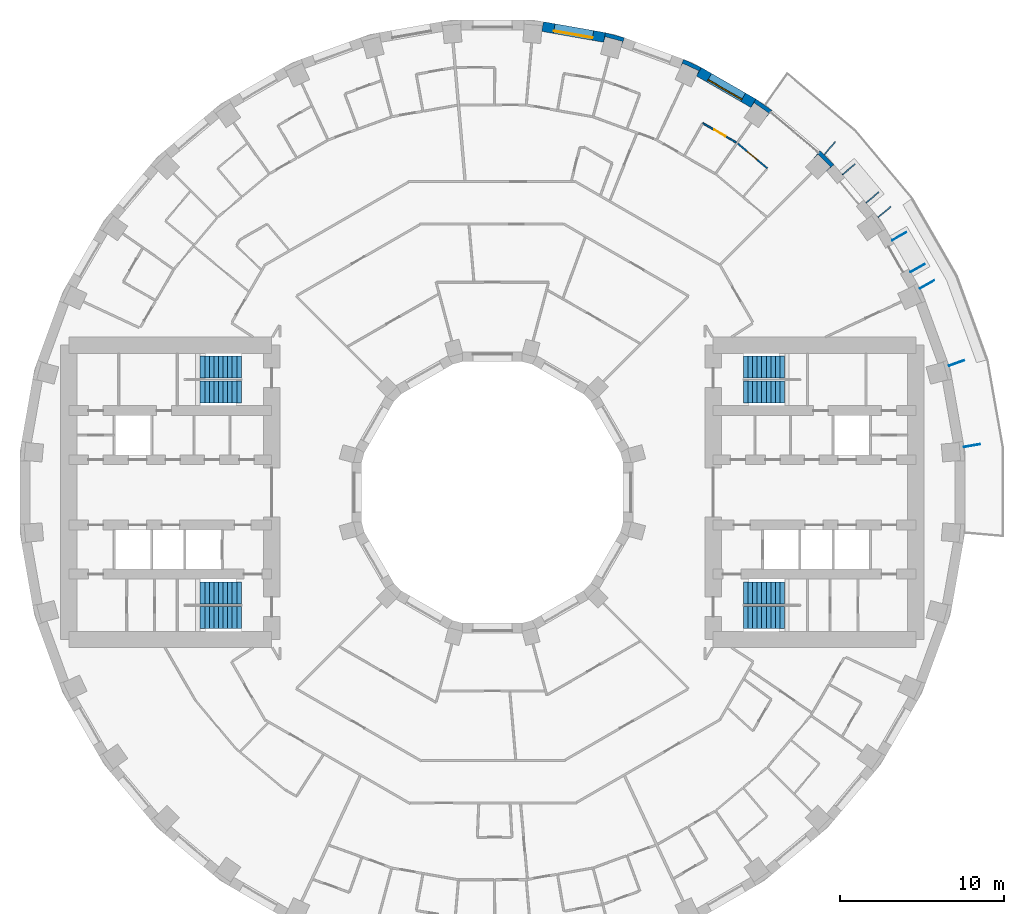
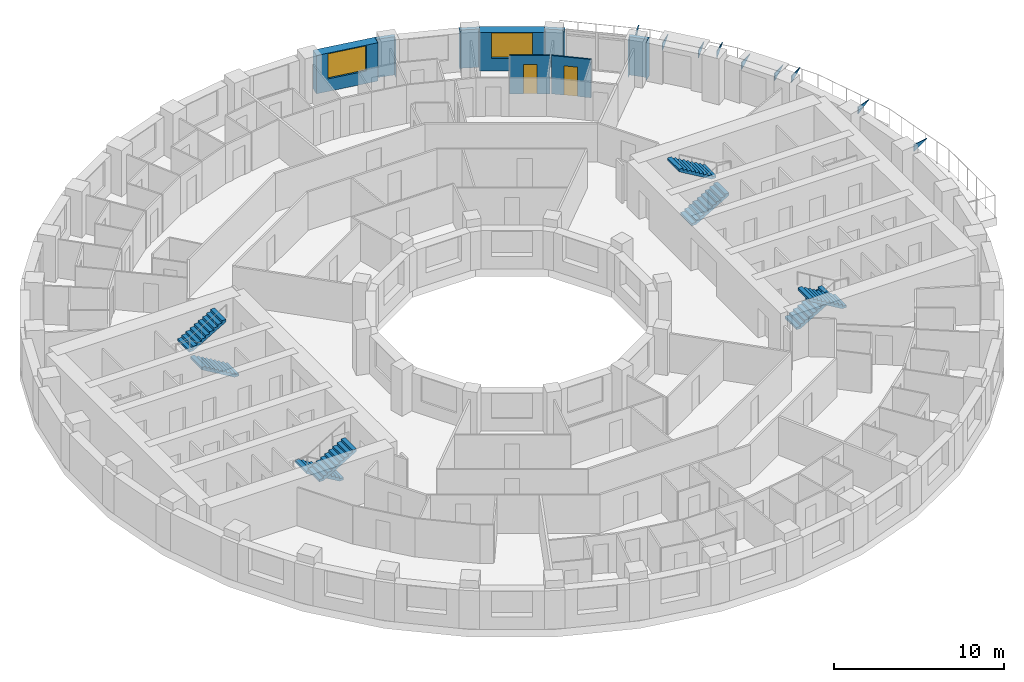
# One storey, part 14 of 15: 9 discrete accessories, 8 stair flights, 8 walls, 2 doors, 2 windows, 4 openings, 4 elements without a shape of their own.
"""IFC4 building model written with IfcOpenShell, lengths in metres."""

from ifc_helpers import new_model, si_unit, direction, frame, frame_2d, origin, place, context, subcontext, project, spatial, polyline, rectangle, outline, extrude, material, layer, layer_set, type_object, element, fill, aggregate, save


model = new_model("IFC4")

# Units and contexts
model_context = context("Model", 3, precision=1e-05, world=origin(), true_north=direction((0.0, 1.0)))
body_context = subcontext(model_context, "Body", "Model", "MODEL_VIEW")
ifc_project = project(units=[si_unit("LENGTHUNIT", "METRE"), si_unit("AREAUNIT", "SQUARE_METRE"), si_unit("VOLUMEUNIT", "CUBIC_METRE"), si_unit("PLANEANGLEUNIT", "RADIAN"), si_unit("MASSUNIT", "GRAM", prefix="KILO")], contexts=[model_context])

# Site, building, storey
site_placement = place(None, origin())
site = spatial("IfcSite", under=ifc_project, at=site_placement, CompositionType="ELEMENT")
building_placement = place(site_placement, origin())
building = spatial("IfcBuilding", under=site, at=building_placement, Name="Saqina Gate Tower", CompositionType="ELEMENT")
storey_placement = place(building_placement, frame((0.0, 0.0, 56.0)))
storey = spatial("IfcBuildingStorey", under=building, at=storey_placement, Name="L15", CompositionType="ELEMENT", Elevation=56.0)

# Walls
ifc_material_1 = material(Name="Brick masonry (red)", Category="masonry")
wall_type_1 = type_object("IfcWallType", Name="BRICK PIER COPING RED", PredefinedType="SOLIDWALL", material=ifc_material_1)
wall_1_placement = place(storey_placement, origin())
element("IfcWall", 1, at=wall_1_placement, inside=storey, type_object=wall_type_1, Name="Pier cap L15 column 5", PredefinedType="SOLIDWALL", context=body_context, shape_type="SweptSolid", body=[
    extrude(outline(polyline([(20.04296875, 20.894775390625), (19.6572265625, 20.43505859375), (19.905029296875, 20.682861328125), (20.682861328125, 19.905029296875), (20.43505859375, 19.6572265625), (20.894775390625, 20.04296875), (20.04296875, 20.894775390625)])), origin(), (0.0, 0.0, 1.0), 2.75),
])
wall_2_placement = place(storey_placement, origin())
element("IfcWall", 2, at=wall_2_placement, inside=storey, type_object=wall_type_1, Name="Pier cap L15 column 6", PredefinedType="SOLIDWALL", context=body_context, shape_type="SweptSolid", body=[
    extrude(outline(polyline([(17.096923828125, 23.36669921875), (16.110107421875, 24.0576171875), (15.81005859375, 23.5380859375), (16.010986328125, 23.8251953125), (16.912109375, 23.194091796875), (16.711181640625, 22.9072265625), (17.096923828125, 23.36669921875)])), origin(), (0.0, 0.0, 1.0), 2.75),
])
wall_3_placement = place(storey_placement, origin())
element("IfcWall", 3, at=wall_3_placement, inside=storey, type_object=wall_type_1, Name="Pier cap L15 column 7", PredefinedType="SOLIDWALL", context=body_context, shape_type="SweptSolid", body=[
    extrude(outline(polyline([(11.687744140625, 26.48974609375), (11.482666015625, 25.92578125), (11.630615234375, 26.243408203125), (12.627685546875, 25.778564453125), (12.4794921875, 25.4609375), (12.779541015625, 25.980712890625), (11.687744140625, 26.48974609375)])), origin(), (0.0, 0.0, 1.0), 2.75),
])
wall_4_placement = place(storey_placement, origin())
element("IfcWall", 4, at=wall_4_placement, inside=storey, type_object=wall_type_1, Name="Pier cap L15 column 8", PredefinedType="SOLIDWALL", context=body_context, shape_type="SweptSolid", body=[
    extrude(outline(polyline([(6.910400390625, 28.11669921875), (6.80615234375, 27.52587890625), (6.896728515625, 27.864501953125), (7.95947265625, 27.57958984375), (7.86865234375, 27.2412109375), (8.073974609375, 27.80517578125), (6.910400390625, 28.11669921875)])), origin(), (0.0, 0.0, 1.0), 2.75),
])

# Wall, opening, window
ifc_material_2 = material(Name="Brick masonry (red)", Category="masonry")
ifc_layer_1 = layer(ifc_material_2, 0.60009765625)
ifc_layer_set_1 = layer_set([ifc_layer_1], Name="FW-BRICK-RED")
wall_type_2 = type_object("IfcWallType", Name="FW-BRICK-RED", PredefinedType="SOLIDWALL", material=ifc_layer_set_1)
wall_5_placement = place(storey_placement, frame((15.960205078125, 23.7978515625, 0.0), z_axis=(0.0, 0.0, 1.0), x_axis=(-0.86603124159, 0.499989888488, 0.0)))
wall_5 = element("IfcWall", 5, at=wall_5_placement, inside=storey, type_object=wall_type_2, Name="Facade wall L15 facet 6", PredefinedType="SOLIDWALL", context=body_context, shape_type="SweptSolid", body=[
    extrude(rectangle(XDim=3.845703125, YDim=0.60009765625, at=frame_2d((1.9228515625, 0.0))), origin(), (0.0, 0.0, 1.0), 2.75),
])
opening_1_placement = place(wall_5_placement, frame((0.722900390625, 0.0, 0.89990234375)))
opening_1 = element("IfcOpeningElement", 6, at=opening_1_placement, cuts=wall_5, Name="Opening G04-W01", PredefinedType="OPENING", context=body_context, shape_type="SweptSolid", body=[
    extrude(rectangle(XDim=2.39990234375, YDim=1.800048828125, at=frame_2d((1.199951171875, 0.89990234375))), frame((0.0, 0.31201171875, 0.0), z_axis=(0.0, -1.0, 0.0), x_axis=(1.0, 0.0, 0.0)), (0.0, 0.0, 1.0), 0.6240234375),
])
ifc_material_3 = material(Name="Aluminium glazing", Category="aluminium")
window_type = type_object("IfcWindowType", Name="WN-A", PartitioningType="SINGLE_PANEL", PredefinedType="WINDOW", material=ifc_material_3)
window_1_placement = place(opening_1_placement, origin())
window_1 = element("IfcWindow", 7, at=window_1_placement, inside=storey, type_object=window_type, Name="Window L15 facet 6", OverallHeight=1.800048828125, OverallWidth=2.39990234375, PartitioningType="SINGLE_PANEL", PredefinedType="WINDOW", context=body_context, shape_type="SweptSolid", body=[
    extrude(rectangle(XDim=2.39990234375, YDim=1.800048828125, at=frame_2d((1.199951171875, 0.89990234375))), frame((0.0, 0.179931640625, 0.0), z_axis=(0.0, -1.0, 0.0), x_axis=(1.0, 0.0, 0.0)), (0.0, 0.0, 1.0), 0.06005859375),
])
fill(opening_1, window_1)

wall_6_placement = place(storey_placement, frame((6.858154296875, 27.8212890625, 0.0), z_axis=(0.0, 0.0, 1.0), x_axis=(-0.984800809218, 0.173687553279, 0.0)))
wall_6 = element("IfcWall", 8, at=wall_6_placement, inside=storey, type_object=wall_type_2, Name="Facade wall L15 facet 8", PredefinedType="SOLIDWALL", context=body_context, shape_type="SweptSolid", body=[
    extrude(rectangle(XDim=3.845703125, YDim=0.60009765625, at=frame_2d((1.9228515625, 0.0))), origin(), (0.0, 0.0, 1.0), 2.75),
])
opening_2_placement = place(wall_6_placement, frame((0.722900390625, 0.0, 0.89990234375)))
opening_2 = element("IfcOpeningElement", 9, at=opening_2_placement, cuts=wall_6, Name="Opening G04-W03", PredefinedType="OPENING", context=body_context, shape_type="SweptSolid", body=[
    extrude(rectangle(XDim=2.39990234375, YDim=1.800048828125, at=frame_2d((1.199951171875, 0.89990234375))), frame((0.0, 0.31201171875, 0.0), z_axis=(0.0, -1.0, 0.0), x_axis=(1.0, 0.0, 0.0)), (0.0, 0.0, 1.0), 0.6240234375),
])
window_2_placement = place(opening_2_placement, origin())
window_2 = element("IfcWindow", 10, at=window_2_placement, inside=storey, type_object=window_type, Name="Window L15 facet 8", OverallHeight=1.800048828125, OverallWidth=2.39990234375, PartitioningType="SINGLE_PANEL", PredefinedType="WINDOW", context=body_context, shape_type="SweptSolid", body=[
    extrude(rectangle(XDim=2.39990234375, YDim=1.800048828125, at=frame_2d((1.199951171875, 0.89990234375))), frame((0.0, 0.179931640625, 0.0), z_axis=(0.0, -1.0, 0.0), x_axis=(1.0, 0.0, 0.0)), (0.0, 0.0, 1.0), 0.06005859375),
])
fill(opening_2, window_2)

# Wall, opening, door
ifc_material_4 = material(Name="Gypsum board on steel studs, 100 mm", Category="steel")
ifc_layer_2 = layer(ifc_material_4, 0.10009765625)
ifc_layer_set_2 = layer_set([ifc_layer_2], Name="PARTITION 100")
wall_type_3 = type_object("IfcWallType", Name="PARTITION 100", PredefinedType="PARTITIONING", material=ifc_layer_set_2)
wall_7_placement = place(storey_placement, frame((15.002197265625, 21.3388671875, 0.0), z_axis=(0.0, 0.0, 1.0), x_axis=(0.765995095449, -0.642846415365, 0.0)))
wall_7 = element("IfcWall", 11, at=wall_7_placement, inside=storey, type_object=wall_type_3, Name="PARTITION PW3-31", PredefinedType="PARTITIONING", context=body_context, shape_type="SweptSolid", body=[
    extrude(rectangle(XDim=2.369140625, YDim=0.10009765625, at=frame_2d((1.1845703125, 0.0))), origin(), (0.0, 0.0, 1.0), 2.75),
])
opening_3_placement = place(wall_7_placement, frame((0.759521484375, 0.0, 0.0)))
opening_3 = element("IfcOpeningElement", 12, at=opening_3_placement, cuts=wall_7, Name="Opening G04-D04", PredefinedType="OPENING", context=body_context, shape_type="SweptSolid", body=[
    extrude(rectangle(XDim=0.800048828125, YDim=2.10009765625, at=frame_2d((0.39990234375, 1.050048828125))), frame((0.0, 0.06201171875, 0.0), z_axis=(0.0, -1.0, 0.0), x_axis=(1.0, 0.0, 0.0)), (0.0, 0.0, 1.0), 0.1240234375),
])
ifc_material_5 = material(Name="Timber door leaf, 800 mm", Category="wood")
door_type = type_object("IfcDoorType", Name="DOOR 800 TIMBER", OperationType="SINGLE_SWING_LEFT", PredefinedType="DOOR", material=ifc_material_5)
door_1_placement = place(opening_3_placement, origin())
door_1 = element("IfcDoor", 13, at=door_1_placement, inside=storey, type_object=door_type, Name="DOOR G04-D04", OperationType="SINGLE_SWING_LEFT", OverallHeight=2.10009765625, OverallWidth=0.800048828125, PredefinedType="DOOR", context=body_context, shape_type="SweptSolid", body=[
    extrude(rectangle(XDim=0.800048828125, YDim=2.10009765625, at=frame_2d((0.39990234375, 1.050048828125))), frame((0.0, 0.02490234375, 0.0), z_axis=(0.0, -1.0, 0.0), x_axis=(1.0, 0.0, 0.0)), (0.0, 0.0, 1.0), 0.050048828125),
])
fill(opening_3, door_1)

wall_8_placement = place(storey_placement, frame((12.868896484375, 22.580078125, 0.0), z_axis=(0.0, 0.0, 1.0), x_axis=(0.866116947413, -0.499841408252, 0.0)))
wall_8 = element("IfcWall", 14, at=wall_8_placement, inside=storey, type_object=wall_type_3, Name="PARTITION PW3-44", PredefinedType="PARTITIONING", context=body_context, shape_type="SweptSolid", body=[
    extrude(rectangle(XDim=2.368896484375, YDim=0.10009765625, at=frame_2d((1.1845703125, 0.0))), origin(), (0.0, 0.0, 1.0), 2.75),
])
opening_4_placement = place(wall_8_placement, frame((0.809326171875, 0.0, 0.0)))
opening_4 = element("IfcOpeningElement", 15, at=opening_4_placement, cuts=wall_8, Name="Opening G04-D06", PredefinedType="OPENING", context=body_context, shape_type="SweptSolid", body=[
    extrude(rectangle(XDim=0.800048828125, YDim=2.10009765625, at=frame_2d((0.39990234375, 1.050048828125))), frame((0.0, 0.06201171875, 0.0), z_axis=(0.0, -1.0, 0.0), x_axis=(1.0, 0.0, 0.0)), (0.0, 0.0, 1.0), 0.1240234375),
])
door_2_placement = place(opening_4_placement, origin())
door_2 = element("IfcDoor", 16, at=door_2_placement, inside=storey, type_object=door_type, Name="DOOR G04-D06", OperationType="SINGLE_SWING_RIGHT", OverallHeight=2.10009765625, OverallWidth=0.800048828125, PredefinedType="DOOR", context=body_context, shape_type="SweptSolid", body=[
    extrude(rectangle(XDim=0.800048828125, YDim=2.10009765625, at=frame_2d((0.39990234375, 1.050048828125))), frame((0.0, 0.02490234375, 0.0), z_axis=(0.0, -1.0, 0.0), x_axis=(1.0, 0.0, 0.0)), (0.0, 0.0, 1.0), 0.050048828125),
])
fill(opening_4, door_2)

# Stair, stair flights
ifc_material_6 = material(Name="Concrete C40/50", Category="concrete")
stair_type = type_object("IfcStairType", Name="EXIT STAIR", PredefinedType="HALF_TURN_STAIR", material=ifc_material_6)
stair_1_placement = place(storey_placement, origin())
stair_1 = element("IfcStair", 17, at=stair_1_placement, inside=storey, type_object=stair_type, Name="EXIT STAIR 1", PredefinedType="HALF_TURN_STAIR")
ifc_material_7 = material(Name="Concrete C40/50", Category="concrete")
stair_flight_type = type_object("IfcStairFlightType", Name="EXIT STAIR FLIGHT", PredefinedType="STRAIGHT", material=ifc_material_7)
stair_flight_1_placement = place(storey_placement, frame((15.35009765625, 6.1416015625, 0.0), z_axis=(0.0, 0.0, 1.0), x_axis=(1.0, 0.0, 0.0)))
stair_flight_1 = element("IfcStairFlight", 18, at=stair_flight_1_placement, type_object=stair_flight_type, Name="EXIT STAIR 1 FLIGHT 1", NumberOfRisers=10, NumberOfTreads=9, PredefinedType="STRAIGHT", RiserHeight=0.165, TreadLength=0.28, context=body_context, shape_type="SweptSolid", body=[
    extrude(outline(polyline([(0.0, 0.0), (0.0, 0.1650390625), (0.280029296875, 0.1650390625), (0.280029296875, 0.330078125), (0.56005859375, 0.330078125), (0.56005859375, 0.4951171875), (0.840087890625, 0.4951171875), (0.840087890625, 0.659912109375), (1.1201171875, 0.659912109375), (1.1201171875, 0.824951171875), (1.39990234375, 0.824951171875), (1.39990234375, 0.989990234375), (1.679931640625, 0.989990234375), (1.679931640625, 1.155029296875), (1.9599609375, 1.155029296875), (1.9599609375, 1.320068359375), (2.239990234375, 1.320068359375), (2.239990234375, 1.485107421875), (2.52001953125, 1.485107421875), (2.52001953125, 1.64990234375), (2.52001953125, 1.31103515625), (0.295166015625, 0.0), (0.0, 0.0)])), frame((0.0, 0.675048828125, 0.0), z_axis=(0.0, -1.0, 0.0), x_axis=(1.0, 0.0, 0.0)), (0.0, 0.0, 1.0), 1.35009765625),
])
stair_flight_2_placement = place(storey_placement, frame((17.8701171875, 7.658447265625, 1.64990234375), z_axis=(0.0, 0.0, 1.0), x_axis=(-1.0, 0.0, 0.0)))
stair_flight_2 = element("IfcStairFlight", 19, at=stair_flight_2_placement, type_object=stair_flight_type, Name="EXIT STAIR 1 FLIGHT 2", NumberOfRisers=10, NumberOfTreads=9, PredefinedType="STRAIGHT", RiserHeight=0.165, TreadLength=0.28, context=body_context, shape_type="SweptSolid", body=[
    extrude(outline(polyline([(0.0, 0.0), (0.0, 0.1650390625), (0.280029296875, 0.1650390625), (0.280029296875, 0.330078125), (0.56005859375, 0.330078125), (0.56005859375, 0.4951171875), (0.840087890625, 0.4951171875), (0.840087890625, 0.659912109375), (1.1201171875, 0.659912109375), (1.1201171875, 0.824951171875), (1.39990234375, 0.824951171875), (1.39990234375, 0.989990234375), (1.679931640625, 0.989990234375), (1.679931640625, 1.155029296875), (1.9599609375, 1.155029296875), (1.9599609375, 1.320068359375), (2.239990234375, 1.320068359375), (2.239990234375, 1.485107421875), (2.52001953125, 1.485107421875), (2.52001953125, 1.64990234375), (2.52001953125, 1.31103515625), (0.295166015625, 0.0), (0.0, 0.0)])), frame((0.0, 0.675048828125, 0.0), z_axis=(0.0, -1.0, 0.0), x_axis=(1.0, 0.0, 0.0)), (0.0, 0.0, 1.0), 1.35009765625),
])
aggregate(stair_1, [stair_flight_1, stair_flight_2])

stair_2_placement = place(storey_placement, origin())
stair_2 = element("IfcStair", 20, at=stair_2_placement, inside=storey, type_object=stair_type, Name="EXIT STAIR 2", PredefinedType="HALF_TURN_STAIR")
stair_flight_3_placement = place(storey_placement, frame((15.35009765625, -6.1416015625, 0.0), z_axis=(0.0, 0.0, 1.0), x_axis=(1.0, 0.0, 0.0)))
stair_flight_3 = element("IfcStairFlight", 21, at=stair_flight_3_placement, type_object=stair_flight_type, Name="EXIT STAIR 2 FLIGHT 1", NumberOfRisers=10, NumberOfTreads=9, PredefinedType="STRAIGHT", RiserHeight=0.165, TreadLength=0.28, context=body_context, shape_type="SweptSolid", body=[
    extrude(outline(polyline([(0.0, 0.0), (0.0, 0.1650390625), (0.280029296875, 0.1650390625), (0.280029296875, 0.330078125), (0.56005859375, 0.330078125), (0.56005859375, 0.4951171875), (0.840087890625, 0.4951171875), (0.840087890625, 0.659912109375), (1.1201171875, 0.659912109375), (1.1201171875, 0.824951171875), (1.39990234375, 0.824951171875), (1.39990234375, 0.989990234375), (1.679931640625, 0.989990234375), (1.679931640625, 1.155029296875), (1.9599609375, 1.155029296875), (1.9599609375, 1.320068359375), (2.239990234375, 1.320068359375), (2.239990234375, 1.485107421875), (2.52001953125, 1.485107421875), (2.52001953125, 1.64990234375), (2.52001953125, 1.31103515625), (0.295166015625, 0.0), (0.0, 0.0)])), frame((0.0, 0.675048828125, 0.0), z_axis=(0.0, -1.0, 0.0), x_axis=(1.0, 0.0, 0.0)), (0.0, 0.0, 1.0), 1.35009765625),
])
stair_flight_4_placement = place(storey_placement, frame((17.8701171875, -7.658447265625, 1.64990234375), z_axis=(0.0, 0.0, 1.0), x_axis=(-1.0, 0.0, 0.0)))
stair_flight_4 = element("IfcStairFlight", 22, at=stair_flight_4_placement, type_object=stair_flight_type, Name="EXIT STAIR 2 FLIGHT 2", NumberOfRisers=10, NumberOfTreads=9, PredefinedType="STRAIGHT", RiserHeight=0.165, TreadLength=0.28, context=body_context, shape_type="SweptSolid", body=[
    extrude(outline(polyline([(0.0, 0.0), (0.0, 0.1650390625), (0.280029296875, 0.1650390625), (0.280029296875, 0.330078125), (0.56005859375, 0.330078125), (0.56005859375, 0.4951171875), (0.840087890625, 0.4951171875), (0.840087890625, 0.659912109375), (1.1201171875, 0.659912109375), (1.1201171875, 0.824951171875), (1.39990234375, 0.824951171875), (1.39990234375, 0.989990234375), (1.679931640625, 0.989990234375), (1.679931640625, 1.155029296875), (1.9599609375, 1.155029296875), (1.9599609375, 1.320068359375), (2.239990234375, 1.320068359375), (2.239990234375, 1.485107421875), (2.52001953125, 1.485107421875), (2.52001953125, 1.64990234375), (2.52001953125, 1.31103515625), (0.295166015625, 0.0), (0.0, 0.0)])), frame((0.0, 0.675048828125, 0.0), z_axis=(0.0, -1.0, 0.0), x_axis=(1.0, 0.0, 0.0)), (0.0, 0.0, 1.0), 1.35009765625),
])
aggregate(stair_2, [stair_flight_3, stair_flight_4])

stair_3_placement = place(storey_placement, origin())
stair_3 = element("IfcStair", 23, at=stair_3_placement, inside=storey, type_object=stair_type, Name="EXIT STAIR 3", PredefinedType="HALF_TURN_STAIR")
stair_flight_5_placement = place(storey_placement, frame((-15.35009765625, 6.1416015625, 0.0), z_axis=(0.0, 0.0, 1.0), x_axis=(-1.0, 0.0, 0.0)))
stair_flight_5 = element("IfcStairFlight", 24, at=stair_flight_5_placement, type_object=stair_flight_type, Name="EXIT STAIR 3 FLIGHT 1", NumberOfRisers=10, NumberOfTreads=9, PredefinedType="STRAIGHT", RiserHeight=0.165, TreadLength=0.28, context=body_context, shape_type="SweptSolid", body=[
    extrude(outline(polyline([(0.0, 0.0), (0.0, 0.1650390625), (0.280029296875, 0.1650390625), (0.280029296875, 0.330078125), (0.56005859375, 0.330078125), (0.56005859375, 0.4951171875), (0.840087890625, 0.4951171875), (0.840087890625, 0.659912109375), (1.1201171875, 0.659912109375), (1.1201171875, 0.824951171875), (1.39990234375, 0.824951171875), (1.39990234375, 0.989990234375), (1.679931640625, 0.989990234375), (1.679931640625, 1.155029296875), (1.9599609375, 1.155029296875), (1.9599609375, 1.320068359375), (2.239990234375, 1.320068359375), (2.239990234375, 1.485107421875), (2.52001953125, 1.485107421875), (2.52001953125, 1.64990234375), (2.52001953125, 1.31103515625), (0.295166015625, 0.0), (0.0, 0.0)])), frame((0.0, 0.675048828125, 0.0), z_axis=(0.0, -1.0, 0.0), x_axis=(1.0, 0.0, 0.0)), (0.0, 0.0, 1.0), 1.35009765625),
])
stair_flight_6_placement = place(storey_placement, frame((-17.8701171875, 7.658447265625, 1.64990234375), z_axis=(0.0, 0.0, 1.0), x_axis=(1.0, 0.0, 0.0)))
stair_flight_6 = element("IfcStairFlight", 25, at=stair_flight_6_placement, type_object=stair_flight_type, Name="EXIT STAIR 3 FLIGHT 2", NumberOfRisers=10, NumberOfTreads=9, PredefinedType="STRAIGHT", RiserHeight=0.165, TreadLength=0.28, context=body_context, shape_type="SweptSolid", body=[
    extrude(outline(polyline([(0.0, 0.0), (0.0, 0.1650390625), (0.280029296875, 0.1650390625), (0.280029296875, 0.330078125), (0.56005859375, 0.330078125), (0.56005859375, 0.4951171875), (0.840087890625, 0.4951171875), (0.840087890625, 0.659912109375), (1.1201171875, 0.659912109375), (1.1201171875, 0.824951171875), (1.39990234375, 0.824951171875), (1.39990234375, 0.989990234375), (1.679931640625, 0.989990234375), (1.679931640625, 1.155029296875), (1.9599609375, 1.155029296875), (1.9599609375, 1.320068359375), (2.239990234375, 1.320068359375), (2.239990234375, 1.485107421875), (2.52001953125, 1.485107421875), (2.52001953125, 1.64990234375), (2.52001953125, 1.31103515625), (0.295166015625, 0.0), (0.0, 0.0)])), frame((0.0, 0.675048828125, 0.0), z_axis=(0.0, -1.0, 0.0), x_axis=(1.0, 0.0, 0.0)), (0.0, 0.0, 1.0), 1.35009765625),
])
aggregate(stair_3, [stair_flight_5, stair_flight_6])

stair_4_placement = place(storey_placement, origin())
stair_4 = element("IfcStair", 26, at=stair_4_placement, inside=storey, type_object=stair_type, Name="EXIT STAIR 4", PredefinedType="HALF_TURN_STAIR")
stair_flight_7_placement = place(storey_placement, frame((-15.35009765625, -6.1416015625, 0.0), z_axis=(0.0, 0.0, 1.0), x_axis=(-1.0, 0.0, 0.0)))
stair_flight_7 = element("IfcStairFlight", 27, at=stair_flight_7_placement, type_object=stair_flight_type, Name="EXIT STAIR 4 FLIGHT 1", NumberOfRisers=10, NumberOfTreads=9, PredefinedType="STRAIGHT", RiserHeight=0.165, TreadLength=0.28, context=body_context, shape_type="SweptSolid", body=[
    extrude(outline(polyline([(0.0, 0.0), (0.0, 0.1650390625), (0.280029296875, 0.1650390625), (0.280029296875, 0.330078125), (0.56005859375, 0.330078125), (0.56005859375, 0.4951171875), (0.840087890625, 0.4951171875), (0.840087890625, 0.659912109375), (1.1201171875, 0.659912109375), (1.1201171875, 0.824951171875), (1.39990234375, 0.824951171875), (1.39990234375, 0.989990234375), (1.679931640625, 0.989990234375), (1.679931640625, 1.155029296875), (1.9599609375, 1.155029296875), (1.9599609375, 1.320068359375), (2.239990234375, 1.320068359375), (2.239990234375, 1.485107421875), (2.52001953125, 1.485107421875), (2.52001953125, 1.64990234375), (2.52001953125, 1.31103515625), (0.295166015625, 0.0), (0.0, 0.0)])), frame((0.0, 0.675048828125, 0.0), z_axis=(0.0, -1.0, 0.0), x_axis=(1.0, 0.0, 0.0)), (0.0, 0.0, 1.0), 1.35009765625),
])
stair_flight_8_placement = place(storey_placement, frame((-17.8701171875, -7.658447265625, 1.64990234375), z_axis=(0.0, 0.0, 1.0), x_axis=(1.0, 0.0, 0.0)))
stair_flight_8 = element("IfcStairFlight", 28, at=stair_flight_8_placement, type_object=stair_flight_type, Name="EXIT STAIR 4 FLIGHT 2", NumberOfRisers=10, NumberOfTreads=9, PredefinedType="STRAIGHT", RiserHeight=0.165, TreadLength=0.28, context=body_context, shape_type="SweptSolid", body=[
    extrude(outline(polyline([(0.0, 0.0), (0.0, 0.1650390625), (0.280029296875, 0.1650390625), (0.280029296875, 0.330078125), (0.56005859375, 0.330078125), (0.56005859375, 0.4951171875), (0.840087890625, 0.4951171875), (0.840087890625, 0.659912109375), (1.1201171875, 0.659912109375), (1.1201171875, 0.824951171875), (1.39990234375, 0.824951171875), (1.39990234375, 0.989990234375), (1.679931640625, 0.989990234375), (1.679931640625, 1.155029296875), (1.9599609375, 1.155029296875), (1.9599609375, 1.320068359375), (2.239990234375, 1.320068359375), (2.239990234375, 1.485107421875), (2.52001953125, 1.485107421875), (2.52001953125, 1.64990234375), (2.52001953125, 1.31103515625), (0.295166015625, 0.0), (0.0, 0.0)])), frame((0.0, 0.675048828125, 0.0), z_axis=(0.0, -1.0, 0.0), x_axis=(1.0, 0.0, 0.0)), (0.0, 0.0, 1.0), 1.35009765625),
])
aggregate(stair_4, [stair_flight_7, stair_flight_8])

# Discrete accessories
ifc_material_8 = material(Name="Galvanised steel", Category="steel")
ifc_layer_3 = layer(ifc_material_8, 0.050048828125)
ifc_layer_set_3 = layer_set([ifc_layer_3], Name="BR-AWNING")
discrete_accessory_type_1 = type_object("IfcDiscreteAccessoryType", Name="BR-AWNING", PredefinedType="BRACKET", material=ifc_layer_set_3)
for number, where, z_axis, x_axis, name in (
    (29, (25.568115234375, 13.493896484375, 1.97509765625), (-0.50002537861, 0.866010750942, 0.0), (0.0, 0.0, 1.0), "Awning bracket L15 facet 3"),
    (30, (24.4453125, 15.43896484375, 1.97509765625), (-0.50002537861, 0.866010750942, 0.0), (0.0, 0.0, 1.0), "Awning bracket L15 facet 3"),
):
    element("IfcDiscreteAccessory", number, at=place(storey_placement, frame(where, z_axis=z_axis, x_axis=x_axis)), inside=storey, type_object=discrete_accessory_type_1, Name=name, PredefinedType="BRACKET", context=body_context, shape_type="SweptSolid", body=[
        extrude(outline(polyline([(0.0, 0.0), (0.5498046875, 0.0), (0.5498046875, 0.9999492453569568), (0.0, 0.0)])), origin(), (0.0, 0.0, -1.0), 0.050048828125),
    ])
for number, where, z_axis, x_axis, name in (
    (31, (22.83642578125, 17.728759765625, 1.97509765625), (-0.64277405138, 0.766055819685, 0.0), (0.0, 0.0, 1.0), "Awning bracket L15 facet 4"),
    (32, (21.392822265625, 19.44921875, 1.97509765625), (-0.64277405138, 0.766055819685, 0.0), (0.0, 0.0, 1.0), "Awning bracket L15 facet 4"),
):
    element("IfcDiscreteAccessory", number, at=place(storey_placement, frame(where, z_axis=z_axis, x_axis=x_axis)), inside=storey, type_object=discrete_accessory_type_1, Name=name, PredefinedType="BRACKET", context=body_context, shape_type="SweptSolid", body=[
        extrude(outline(polyline([(0.0, 0.0), (0.5498046875, 0.0), (0.5498046875, 1.0000750096322273), (0.0, 0.0)])), origin(), (0.0, 0.0, -1.0), 0.050048828125),
    ])
ifc_material_9 = material(Name="Galvanised steel", Category="steel")
ifc_layer_4 = layer(ifc_material_9, 0.050048828125)
ifc_layer_set_4 = layer_set([ifc_layer_4], Name="BR-GUSSET")
discrete_accessory_type_2 = type_object("IfcDiscreteAccessoryType", Name="BR-GUSSET", PredefinedType="BRACKET", material=ifc_layer_set_4)
discrete_accessory_1_placement = place(storey_placement, frame((28.841796875, 2.79833984375, 2.25), z_axis=(-0.173576426815, 0.984820401928, 0.0), x_axis=(0.0, 0.0, 1.0)))
element("IfcDiscreteAccessory", 33, at=discrete_accessory_1_placement, inside=storey, type_object=discrete_accessory_type_2, Name="Terrace slab bracket L16 1", PredefinedType="BRACKET", context=body_context, shape_type="SweptSolid", body=[
    extrude(outline(polyline([(0.0, 0.0), (0.5, 0.0), (0.5, 1.000043540245132), (0.0, 0.0)])), origin(), (0.0, 0.0, -1.0), 0.050048828125),
])
discrete_accessory_2_placement = place(storey_placement, frame((27.917724609375, 7.76416015625, 2.25), z_axis=(-0.342037080957, 0.939686455819, 0.0), x_axis=(0.0, 0.0, 1.0)))
element("IfcDiscreteAccessory", 34, at=discrete_accessory_2_placement, inside=storey, type_object=discrete_accessory_type_2, Name="Terrace slab bracket L16 2", PredefinedType="BRACKET", context=body_context, shape_type="SweptSolid", body=[
    extrude(outline(polyline([(0.0, 0.0), (0.5, 0.0), (0.5, 1.000011503630275), (0.0, 0.0)])), origin(), (0.0, 0.0, -1.0), 0.050048828125),
])
discrete_accessory_3_placement = place(storey_placement, frame((26.1455078125, 12.494140625, 2.25), z_axis=(-0.50002537861, 0.866010750942, 0.0), x_axis=(0.0, 0.0, 1.0)))
element("IfcDiscreteAccessory", 35, at=discrete_accessory_3_placement, inside=storey, type_object=discrete_accessory_type_2, Name="Terrace slab bracket L16 3", PredefinedType="BRACKET", context=body_context, shape_type="SweptSolid", body=[
    extrude(outline(polyline([(0.0, 0.0), (0.5, 0.0), (0.5, 0.9999492453569568), (0.0, 0.0)])), origin(), (0.0, 0.0, -1.0), 0.050048828125),
])
for number, where, z_axis, x_axis, name in (
    (36, (23.57861328125, 16.844482421875, 2.25), (-0.64277405138, 0.766055819685, 0.0), (0.0, 0.0, 1.0), "Terrace slab bracket L16 4"),
    (37, (20.29541015625, 20.682861328125, 2.25), (-0.766055819685, 0.64277405138, 0.0), (0.0, 0.0, 1.0), "Terrace slab bracket L16 5"),
):
    element("IfcDiscreteAccessory", number, at=place(storey_placement, frame(where, z_axis=z_axis, x_axis=x_axis)), inside=storey, type_object=discrete_accessory_type_2, Name=name, PredefinedType="BRACKET", context=body_context, shape_type="SweptSolid", body=[
        extrude(outline(polyline([(0.0, 0.0), (0.5, 0.0), (0.5, 1.0000750096322275), (0.0, 0.0)])), origin(), (0.0, 0.0, -1.0), 0.050048828125),
    ])

save(model, "model.ifc")
